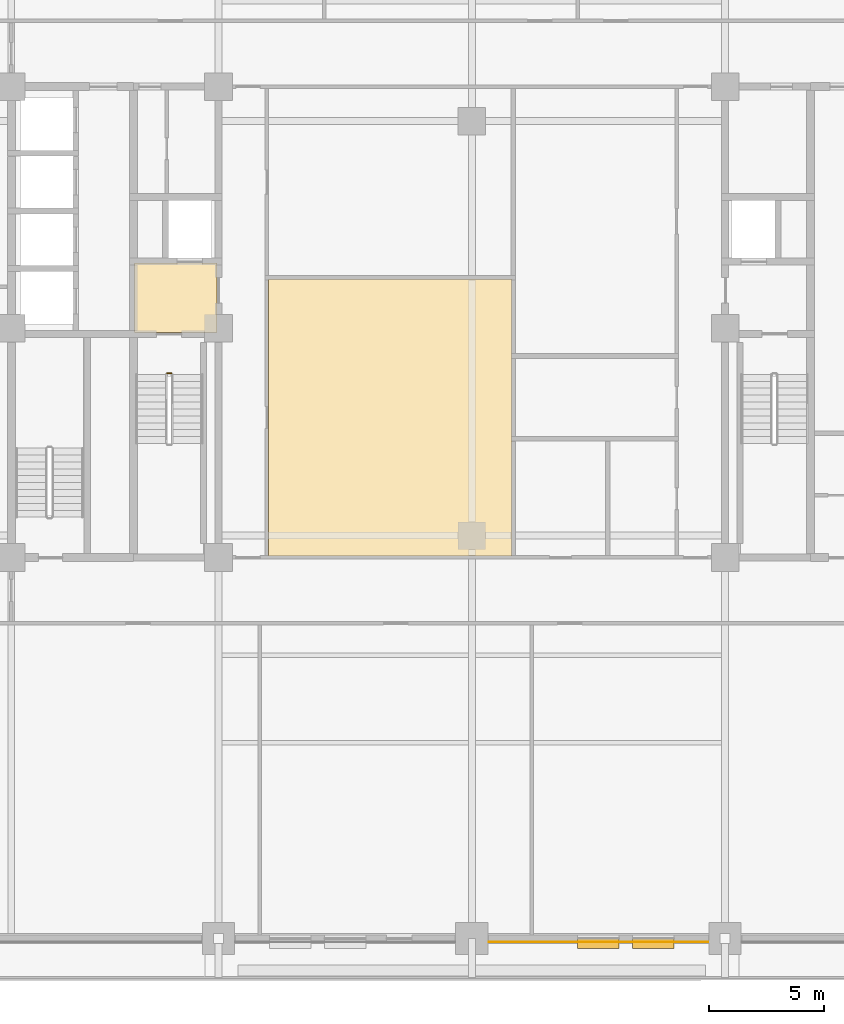
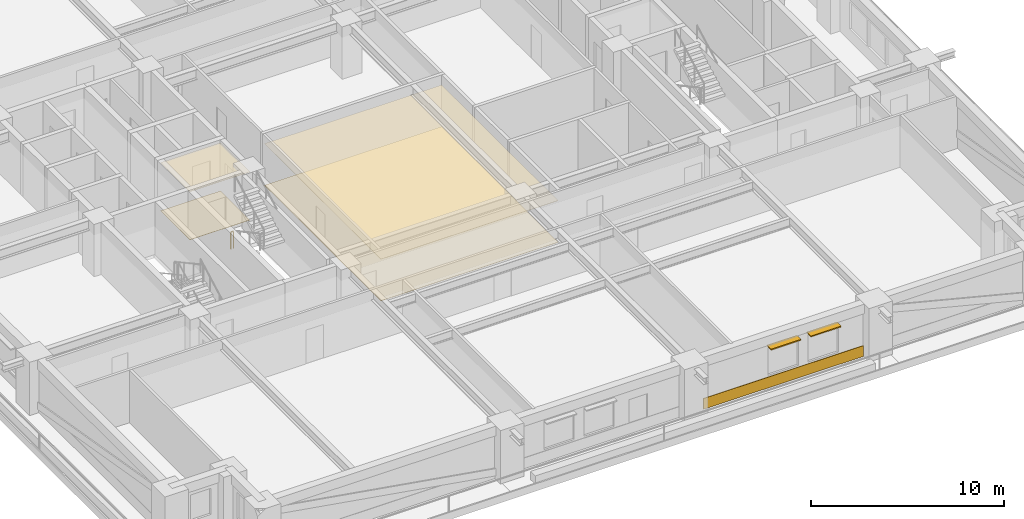
# One storey, part 12 of 14: 5 coverings, 2 shading devices, 1 railing.
"""IFC4 building model written with IfcOpenShell, lengths in metres."""

import ifcopenshell
import ifcopenshell.guid

model = None  # the IFC model being written
_history = None  # IfcOwnerHistory: only IFC2X3 demands one
_inside = {}  # id of a spatial element -> (the spatial element, [elements in it])
_under = {}  # id of a project, library or spatial element -> (it, [spatial elements below it])
_declared = {}  # id of a project -> (the project, [libraries it declares])
_typed = {}  # id of a type object -> (the type object, [elements of that type])
_made_of = {}  # id of a material, layer set ... -> (it, [elements and type objects made of it])


def new_model(schema):
    """Start an empty IFC model of exactly this schema.

    Asked for "IFC4X3", IfcOpenShell would pick the latest addendum, in which some entities
    have other attributes; the version numbers below select the first issue.
    IFC2X3 requires an IfcOwnerHistory on every rooted entity: one is made here for all.
    """
    global model, _history
    if schema == "IFC4X3":
        model = ifcopenshell.file(schema_version=(4, 3, 0, 0))
    else:
        model = ifcopenshell.file(schema=schema)
    _inside.clear()
    _under.clear()
    _declared.clear()
    _typed.clear()
    _made_of.clear()
    _history = None
    if model.schema == "IFC2X3":
        org = make("IfcOrganization", Name="unknown")
        user = make(
            "IfcPersonAndOrganization",
            ThePerson=make("IfcPerson", FamilyName="unknown"),
            TheOrganization=org,
        )
        app = make(
            "IfcApplication",
            ApplicationDeveloper=org,
            Version="unknown",
            ApplicationFullName="unknown",
            ApplicationIdentifier="unknown",
        )
        _history = make(
            "IfcOwnerHistory",
            OwningUser=user,
            OwningApplication=app,
            ChangeAction="ADDED",
            CreationDate=0,
        )
    return model


def make(cls, **values):
    """One entity of the class cls with the attributes given. An attribute that is None is left unset."""
    return model.create_entity(
        cls, **{name: value for name, value in values.items() if value is not None}
    )


def rooted(cls, **values):
    """An entity with a GlobalId (a new one), such as an element, a storey or a relation."""
    return make(cls, GlobalId=ifcopenshell.guid.new(), OwnerHistory=_history, **values)


def si_unit(unit_type, name, prefix=None):
    """IfcSIUnit, for example si_unit("LENGTHUNIT", "METRE", prefix="MILLI")."""
    return make("IfcSIUnit", UnitType=unit_type, Prefix=prefix, Name=name)


def assignment(units):
    """IfcUnitAssignment: the units of a project."""
    return None if units is None else make("IfcUnitAssignment", Units=units)


def point(xyz):
    """IfcCartesianPoint."""
    return None if xyz is None else make("IfcCartesianPoint", Coordinates=xyz)


def direction(xyz):
    """IfcDirection."""
    return None if xyz is None else make("IfcDirection", DirectionRatios=xyz)


def frame(location, z_axis=None, x_axis=None):
    """IfcAxis2Placement3D, a coordinate frame: its origin and axes. An axis left out is left unset."""
    return make(
        "IfcAxis2Placement3D",
        Location=point(location),
        Axis=direction(z_axis),
        RefDirection=direction(x_axis),
    )


def frame_2d(location, x_axis=None):
    """IfcAxis2Placement2D, a coordinate frame in the plane: its origin and x axis."""
    return make(
        "IfcAxis2Placement2D", Location=point(location), RefDirection=direction(x_axis)
    )


def origin():
    """The frame at (0, 0, 0) with its axes left unset."""
    return frame((0.0, 0.0, 0.0))


def origin_2d():
    """The frame at (0, 0) in the plane with its x axis left unset."""
    return frame_2d((0.0, 0.0))


def place(relative_to, where):
    """IfcLocalPlacement: puts the frame where relative to a parent placement (None: the world)."""
    return make(
        "IfcLocalPlacement", PlacementRelTo=relative_to, RelativePlacement=where
    )


def context(
    kind, dimensions, precision=None, world=None, true_north=None, identifier=None
):
    """IfcGeometricRepresentationContext, for example the 3D "Model" context."""
    return make(
        "IfcGeometricRepresentationContext",
        ContextIdentifier=identifier,
        ContextType=kind,
        CoordinateSpaceDimension=dimensions,
        Precision=precision,
        WorldCoordinateSystem=world,
        TrueNorth=true_north,
    )


def subcontext(parent, identifier, kind, view, scale=None):
    """IfcGeometricRepresentationSubContext, for example "Body" below "Model"."""
    return make(
        "IfcGeometricRepresentationSubContext",
        ContextIdentifier=identifier,
        ContextType=kind,
        ParentContext=parent,
        TargetScale=scale,
        TargetView=view,
    )


def project(units=None, contexts=None):
    """IfcProject with its units and contexts."""
    return rooted(
        "IfcProject",
        Name="project",
        RepresentationContexts=contexts,
        UnitsInContext=assignment(units),
    )


def spatial(cls, under=None, at=None, **own):
    """A site, building, storey or space (cls), placed at a placement, below another one or the project."""
    s = rooted(cls, ObjectPlacement=at, **own)
    if under is not None:
        _under.setdefault(under.id(), (under, []))[1].append(s)
    return s


def polyline(points):
    """IfcPolyline through the points."""
    return make("IfcPolyline", Points=[point(p) for p in points])


def profile(cls, at=None, kind="AREA", **sizes):
    """A parametric profile (cls). Its sizes go by their IFC names, for example OverallWidth=200.0."""
    return make(cls, ProfileType=kind, Position=at, **sizes)


def rectangle(**sizes):
    """IfcRectangleProfileDef."""
    return profile("IfcRectangleProfileDef", **sizes)


def outline(outer, holes=None, kind="AREA"):
    """IfcArbitraryClosedProfileDef: a profile drawn as a closed curve; with holes, ...WithVoids."""
    if holes is None:
        return make("IfcArbitraryClosedProfileDef", ProfileType=kind, OuterCurve=outer)
    return make(
        "IfcArbitraryProfileDefWithVoids",
        ProfileType=kind,
        OuterCurve=outer,
        InnerCurves=holes,
    )


def extrude(swept, where, along, depth):
    """IfcExtrudedAreaSolid: the profile swept, set in the frame where, extruded along a direction by depth."""
    return make(
        "IfcExtrudedAreaSolid",
        SweptArea=swept,
        Position=where,
        ExtrudedDirection=direction(along),
        Depth=depth,
    )


def shape(context_of_items, identifier, shape_type, items):
    """IfcShapeRepresentation: the items that make up one representation, for example the "Body"."""
    return make(
        "IfcShapeRepresentation",
        ContextOfItems=context_of_items,
        RepresentationIdentifier=identifier,
        RepresentationType=shape_type,
        Items=items,
    )


def material(Name=None, Category=None):
    """IfcMaterial."""
    return make("IfcMaterial", Name=Name, Category=Category)


def layer(
    of_material, thickness, ventilated=None, Name=None, Category=None, Priority=None
):
    """IfcMaterialLayer: one layer of a wall or slab, of a material (None: an air gap)."""
    return make(
        "IfcMaterialLayer",
        Material=of_material,
        LayerThickness=thickness,
        IsVentilated=ventilated,
        Name=Name,
        Category=Category,
        Priority=Priority,
    )


def layer_set(layers, Name=None):
    """IfcMaterialLayerSet."""
    return make("IfcMaterialLayerSet", MaterialLayers=layers, LayerSetName=Name)


def made_of(thing, what):
    """Note that an element or type object is made of a material, layer set ...; save() writes the relation."""
    if what is not None:
        _made_of.setdefault(what.id(), (what, []))[1].append(thing)
    return thing


def type_object(cls, material=None, **own):
    """A type object (cls), such as IfcWallType, which elements share."""
    return made_of(rooted(cls, **own), material)


def element(
    cls,
    number,
    at=None,
    inside=None,
    cuts=None,
    type_object=None,
    material=None,
    context=None,
    identifier="Body",
    shape_type=None,
    held_by="IfcProductDefinitionShape",
    body=None,
    shapes=None,
    **own,
):
    """One element of the class cls, such as IfcWall. Its Tag is "e" and its number.

    at: its placement. inside: the storey or other place that contains it. cuts: it is an
    opening in that element (IfcRelVoidsElement). A single representation is given by context,
    identifier, shape_type and body (its items); several are given by shapes. held_by: the class
    of the entity that holds the representations. save() writes the other relations.
    """
    e = rooted(cls, Tag="e%d" % number, ObjectPlacement=at, **own)
    if body is not None:
        shapes = [shape(context, identifier, shape_type, body)]
    if shapes is not None:
        e.Representation = make(held_by, Representations=shapes)
    if inside is not None:
        _inside.setdefault(inside.id(), (inside, []))[1].append(e)
    if cuts is not None:
        rooted(
            "IfcRelVoidsElement", RelatingBuildingElement=cuts, RelatedOpeningElement=e
        )
    if type_object is not None:
        _typed.setdefault(type_object.id(), (type_object, []))[1].append(e)
    return made_of(e, material)


def aggregate(whole, parts):
    """IfcRelAggregates: a whole, such as a stair, and the parts it consists of."""
    return rooted("IfcRelAggregates", RelatingObject=whole, RelatedObjects=parts)


def save(model, path):
    """Write the relations noted so far, then the file.

    IfcRelAggregates (storeys below a building ...), IfcRelContainedInSpatialStructure (elements
    in a storey), IfcRelDefinesByType, IfcRelAssociatesMaterial and IfcRelDeclares: one each for
    every whole, place, type object, material and project.
    """
    for whole, parts in _under.values():
        aggregate(whole, parts)
    for where, things in _inside.values():
        rooted(
            "IfcRelContainedInSpatialStructure",
            RelatedElements=things,
            RelatingStructure=where,
        )
    for kind, things in _typed.values():
        rooted("IfcRelDefinesByType", RelatedObjects=things, RelatingType=kind)
    for what, things in _made_of.values():
        rooted("IfcRelAssociatesMaterial", RelatedObjects=things, RelatingMaterial=what)
    for by, libraries in _declared.values():
        rooted("IfcRelDeclares", RelatingContext=by, RelatedDefinitions=libraries)
    model.write(path)


model = new_model("IFC4")

# Units and contexts
model_context = context("Model", 3, precision=1e-05, world=origin(), true_north=direction((0.0, 1.0)))
body_context = subcontext(model_context, "Body", "Model", "MODEL_VIEW")
ifc_project = project(units=[si_unit("LENGTHUNIT", "METRE"), si_unit("AREAUNIT", "SQUARE_METRE"), si_unit("VOLUMEUNIT", "CUBIC_METRE"), si_unit("PLANEANGLEUNIT", "RADIAN"), si_unit("MASSUNIT", "GRAM", prefix="KILO")], contexts=[model_context])

# Site, building, storey
site_placement = place(None, origin())
site = spatial("IfcSite", under=ifc_project, at=site_placement, CompositionType="ELEMENT")
building_placement = place(site_placement, origin())
building = spatial("IfcBuilding", under=site, at=building_placement, Name="Zulmaris Gate Convention Tower", CompositionType="ELEMENT")
storey_placement = place(building_placement, frame((0.0, 0.0, 64.329833984375)))
storey = spatial("IfcBuildingStorey", under=building, at=storey_placement, Name="L15", CompositionType="ELEMENT", Elevation=64.329833984375)

# Coverings
ifc_material_1 = material(Name="Precast concrete C40/50", Category="concrete")
ifc_layer_1 = layer(ifc_material_1, 0.0400390625, Name="Precast concrete C40/50")
ifc_layer_set_1 = layer_set([ifc_layer_1], Name="Precast concrete C40/50")
covering_type_1 = type_object("IfcCoveringType", Name="CLAD-SPANDREL-PRECAST", PredefinedType="CLADDING", material=ifc_layer_set_1)
covering_1_placement = place(storey_placement, frame((0.72998046875, -26.64990234375, 0.0), z_axis=(0.0, 0.0, 1.0), x_axis=(1.0, 0.0, 0.0)))
element("IfcCovering", 1, at=covering_1_placement, inside=storey, type_object=covering_type_1, Name="CLD-L15-S-2_0", PredefinedType="CLADDING", context=body_context, shape_type="SweptSolid", body=[
    extrude(rectangle(XDim=9.5400390625, YDim=0.0400390625, at=frame_2d((4.77001953125, 0.0))), origin(), (0.0, 0.0, 1.0), 0.679931640625),
])
ifc_material_2 = material(Name="Mineral Fibre Acoustic Ceiling Tile")
ifc_layer_2 = layer(ifc_material_2, 0.02001953125, Name="Mineral Fibre Acoustic Ceiling Tile")
ifc_layer_set_2 = layer_set([ifc_layer_2], Name="Mineral Fibre Acoustic Ceiling Tile")
covering_type_2 = type_object("IfcCoveringType", Name="CLG-ACOUSTIC-600", PredefinedType="CEILING", material=ifc_layer_set_2)
covering_2_placement = place(storey_placement, frame((0.0, 0.0, 3.0400390625)))
element("IfcCovering", 2, at=covering_2_placement, inside=storey, type_object=covering_type_2, Name="CLG-L15-R03", PredefinedType="CEILING", context=body_context, shape_type="SweptSolid", body=[
    extrude(outline(polyline([(-14.639892578125, -0.18994140625), (-11.06005859375, -0.18994140625), (-11.06005859375, 2.840087890625), (-14.639892578125, 2.840087890625), (-14.639892578125, -0.18994140625)])), origin(), (0.0, 0.0, 1.0), 0.02001953125),
])
covering_3_placement = place(storey_placement, frame((0.0, 0.0, 2.628173828125)))
element("IfcCovering", 3, at=covering_3_placement, inside=storey, type_object=covering_type_2, Name="CLG-L15-R40", PredefinedType="CEILING", context=body_context, shape_type="SweptSolid", body=[
    extrude(outline(polyline([(-8.840087890625, -9.889892578125), (1.739990234375, -9.889892578125), (1.739990234375, 2.139892578125), (-8.840087890625, 2.139892578125), (-8.840087890625, -9.889892578125)])), origin(), (0.0, 0.0, 1.0), 0.019775390625),
])
ifc_material_3 = material(Name="Woven Acoustic Wool Carpet Tile")
ifc_layer_3 = layer(ifc_material_3, 0.02001953125, Name="Woven Acoustic Wool Carpet Tile")
ifc_layer_set_3 = layer_set([ifc_layer_3], Name="Woven Acoustic Wool Carpet Tile")
covering_type_3 = type_object("IfcCoveringType", Name="FLR-CARPET-12", PredefinedType="FLOORING", material=ifc_layer_set_3)
covering_4_placement = place(storey_placement, origin())
element("IfcCovering", 4, at=covering_4_placement, inside=storey, type_object=covering_type_3, Name="FLR-L15-R03", PredefinedType="FLOORING", context=body_context, shape_type="SweptSolid", body=[
    extrude(outline(polyline([(-14.639892578125, -0.18994140625), (-11.06005859375, -0.18994140625), (-11.06005859375, 2.840087890625), (-14.639892578125, 2.840087890625), (-14.639892578125, -0.18994140625)])), origin(), (0.0, 0.0, 1.0), 0.02001953125),
])
covering_5_placement = place(storey_placement, origin())
element("IfcCovering", 5, at=covering_5_placement, inside=storey, type_object=covering_type_3, Name="FLR-L15-R40", PredefinedType="FLOORING", context=body_context, shape_type="SweptSolid", body=[
    extrude(outline(polyline([(-8.840087890625, -9.889892578125), (1.739990234375, -9.889892578125), (1.739990234375, 2.139892578125), (-8.840087890625, 2.139892578125), (-8.840087890625, -9.889892578125)])), origin(), (0.0, 0.0, 1.0), 0.02001953125),
])

# Railing
ifc_material_4 = material(Name="Painted Galvanised Steel", Category="steel")
railing_type = type_object("IfcRailingType", Name="RL-STG-1150", PredefinedType="GUARDRAIL", material=ifc_material_4)
railing_placement = place(storey_placement, frame((-13.219970703125, -1.949951171875, 0.0)))
element("IfcRailing", 6, at=railing_placement, inside=storey, type_object=railing_type, Name="L15 ST-1 stair guard 4", PredefinedType="GUARDRAIL", context=body_context, shape_type="SweptSolid", body=[
    extrude(rectangle(XDim=0.048095703125, YDim=0.048095703125, at=origin_2d()), frame((0.0, 0.0, 1.076171875), z_axis=(1.0, 0.0, 0.0), x_axis=(0.0, 1.0, 0.0)), (0.0, 0.0, 1.0), 0.159912109375),
    extrude(rectangle(XDim=0.0419921875, YDim=0.0419921875, at=origin_2d()), origin(), (0.0, 0.0, 1.0), 1.052001953125),
    extrude(rectangle(XDim=0.0419921875, YDim=0.0419921875, at=origin_2d()), frame((0.159912109375, 0.0, 0.0)), (0.0, 0.0, 1.0), 1.052001953125),
])

# Shading devices
ifc_material_5 = material(Name="Glazed Ceramic Terracotta", Category="masonry")
ifc_layer_4 = layer(ifc_material_5, 0.070068359375, Name="Glazed Ceramic Terracotta")
ifc_layer_set_4 = layer_set([ifc_layer_4], Name="Glazed Ceramic Terracotta")
shading_device_type = type_object("IfcShadingDeviceType", Name="SHD-SUNSHADE-TC", PredefinedType="AWNING", material=ifc_layer_set_4)
for number, where, z_axis, x_axis, name in (
    (7, (4.60009765625, -26.719970703125, 2.530029296875), (0.0, 0.0, 1.0), (1.0, 0.0, 0.0), "SHD-EW-L15-S-2_0-2"),
    (8, (6.985107421875, -26.719970703125, 2.530029296875), (0.0, 0.0, 1.0), (1.0, 0.0, 0.0), "SHD-EW-L15-S-2_0-3"),
):
    element("IfcShadingDevice", number, at=place(storey_placement, frame(where, z_axis=z_axis, x_axis=x_axis)), inside=storey, type_object=shading_device_type, Name=name, PredefinedType="AWNING", context=body_context, shape_type="SweptSolid", body=[
        extrude(rectangle(XDim=1.7998046875, YDim=0.43994140625, at=frame_2d((0.89990234375, 0.0))), origin(), (0.0, 0.0, 1.0), 0.06982421875),
    ])

save(model, "model.ifc")
